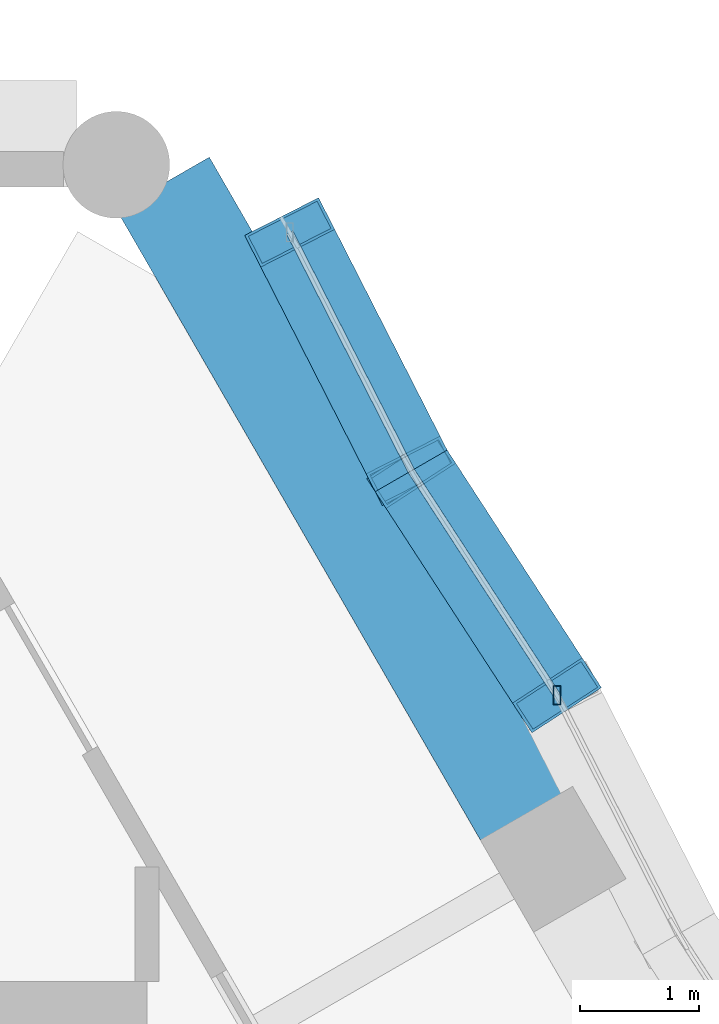
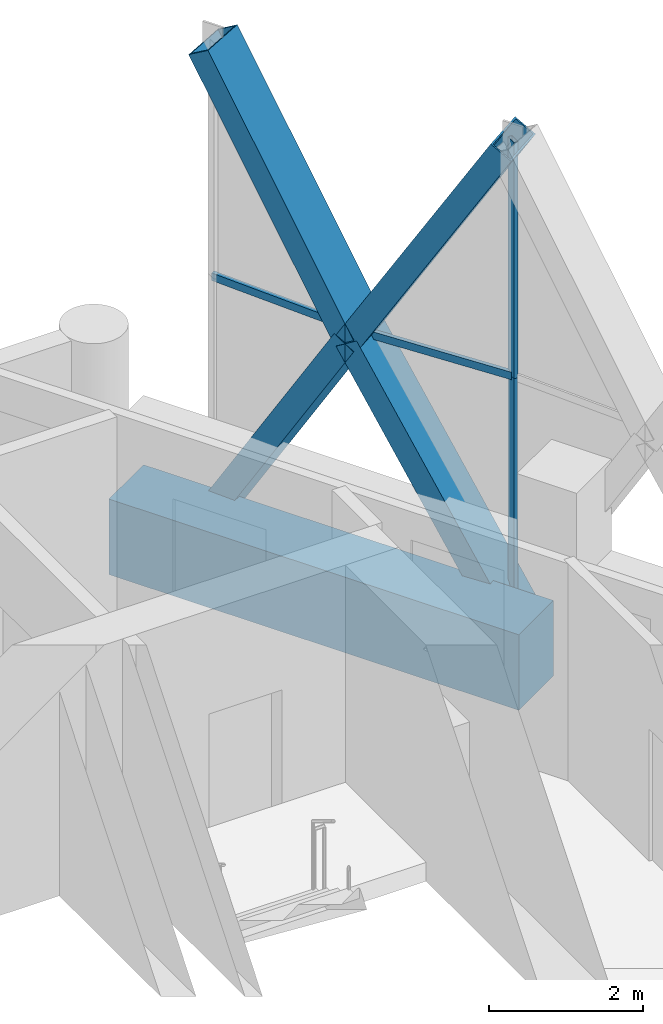
# One storey, part 10 of 27: 8 members, 1 beam, 2 elements without a shape of their own.
"""IFC4 building model written with IfcOpenShell, lengths in metres."""

from ifc_helpers import new_model, si_unit, direction, frame, origin, origin_2d, place, context, subcontext, project, spatial, rectangle, hollow_rectangle, extrude, material, material_profile, profile_set, type_object, element, aggregate, save


model = new_model("IFC4")

# Units and contexts
model_context = context("Model", 3, precision=1e-05, world=origin(), true_north=direction((0.0, 1.0)))
body_context = subcontext(model_context, "Body", "Model", "MODEL_VIEW")
ifc_project = project(units=[si_unit("LENGTHUNIT", "METRE"), si_unit("AREAUNIT", "SQUARE_METRE"), si_unit("VOLUMEUNIT", "CUBIC_METRE"), si_unit("PLANEANGLEUNIT", "RADIAN"), si_unit("MASSUNIT", "GRAM", prefix="KILO")], contexts=[model_context])

# Site, building, storey
site_placement = place(None, origin())
site = spatial("IfcSite", under=ifc_project, at=site_placement, CompositionType="ELEMENT")
building_placement = place(site_placement, origin())
building = spatial("IfcBuilding", under=site, at=building_placement, Name="Ostrander Bayou Hotel Tower", CompositionType="ELEMENT")
storey_placement = place(building_placement, frame((0.0, 0.0, 267.5)))
storey = spatial("IfcBuildingStorey", under=building, at=storey_placement, Name="L66", CompositionType="ELEMENT", Elevation=267.5)

# Curtain wall, members
ifc_material_1 = material(Name="Aluminium and clear glass", Category="aluminium")
curtain_wall_type = type_object("IfcCurtainWallType", Name="CW-LAT lattice glazing", PredefinedType="NOTDEFINED", material=ifc_material_1)
curtain_wall_1_placement = place(storey_placement, origin())
curtain_wall_1 = element("IfcCurtainWall", 1, at=curtain_wall_1_placement, inside=storey, type_object=curtain_wall_type, Name="CW-LAT L66 NE 1", PredefinedType="NOTDEFINED")
ifc_material_2 = material(Name="Aluminium", Category="aluminium")
ifc_material_profile_1 = material_profile(ifc_material_2, hollow_rectangle(XDim=0.06005859375, YDim=0.159912109375, WallThickness=0.00390625, at=origin_2d()))
ifc_profile_set_1 = profile_set([ifc_material_profile_1], Name="Aluminium")
member_type_1 = type_object("IfcMemberType", Name="CW-LA mullion 60 x 160 mm", PredefinedType="MULLION", material=ifc_profile_set_1)
member_1_placement = place(storey_placement, frame((11.95947265625, 12.112548828125, -0.60009765625), z_axis=(0.0, 0.0, 1.0), x_axis=(1.0, 0.0, 0.0)))
member_1 = element("IfcMember", 2, at=member_1_placement, type_object=member_type_1, Name="CW-LAT mullion 12", PredefinedType="MULLION", context=body_context, shape_type="SweptSolid", body=[
    extrude(hollow_rectangle(XDim=0.06005859375, YDim=0.159912109375, WallThickness=0.00390625, at=origin_2d()), origin(), (0.0, 0.0, 1.0), 3.75),
])
member_2_placement = place(storey_placement, frame((11.95947265625, 12.112548828125, 3.14990234375), z_axis=(0.0, 0.0, 1.0), x_axis=(1.0, 0.0, 0.0)))
member_2 = element("IfcMember", 3, at=member_2_placement, type_object=member_type_1, Name="CW-LAT mullion 13", PredefinedType="MULLION", context=body_context, shape_type="SweptSolid", body=[
    extrude(hollow_rectangle(XDim=0.06005859375, YDim=0.159912109375, WallThickness=0.00390625, at=origin_2d()), origin(), (0.0, 0.0, 1.0), 3.75),
])
aggregate(curtain_wall_1, [member_1, member_2])

curtain_wall_2_placement = place(storey_placement, origin())
curtain_wall_2 = element("IfcCurtainWall", 4, at=curtain_wall_2_placement, inside=storey, type_object=curtain_wall_type, Name="CW-LAT L66 NE 2", PredefinedType="NOTDEFINED")
ifc_material_3 = material(Name="Aluminium", Category="aluminium")
ifc_material_profile_2 = material_profile(ifc_material_3, hollow_rectangle(XDim=0.06005859375, YDim=0.1201171875, WallThickness=0.00390625, at=origin_2d()))
ifc_profile_set_2 = profile_set([ifc_material_profile_2], Name="Aluminium")
member_type_2 = type_object("IfcMemberType", Name="CW-LA transom 60 x 120 mm", PredefinedType="USERDEFINED", material=ifc_profile_set_2)
member_3_placement = place(storey_placement, frame((11.95947265625, 12.112548828125, 3.14990234375), z_axis=(-0.54463111889, 0.838675708684, 0.0), x_axis=(-0.838675708684, -0.54463111889, 0.0)))
member_3 = element("IfcMember", 5, at=member_3_placement, type_object=member_type_2, Name="CW-LAT transom 15", ObjectType="TRANSOM", PredefinedType="USERDEFINED", context=body_context, shape_type="SweptSolid", body=[
    extrude(hollow_rectangle(XDim=0.06005859375, YDim=0.1201171875, WallThickness=0.00390625, at=origin_2d()), origin(), (0.0, 0.0, 1.0), 2.25830078125),
])
member_4_placement = place(storey_placement, frame((9.704345703125, 16.0185546875, 3.14990234375), z_axis=(0.453990565894, -0.891006490481, 0.0), x_axis=(0.891006490481, 0.453990565894, 0.0)))
member_4 = element("IfcMember", 6, at=member_4_placement, type_object=member_type_2, Name="CW-LAT transom 18", ObjectType="TRANSOM", PredefinedType="USERDEFINED", context=body_context, shape_type="SweptSolid", body=[
    extrude(hollow_rectangle(XDim=0.06005859375, YDim=0.1201171875, WallThickness=0.00390625, at=origin_2d()), origin(), (0.0, 0.0, 1.0), 2.258056640625),
])
aggregate(curtain_wall_2, [member_3, member_4])

# Members
ifc_material_4 = material(Name="Steel ASTM A572 Gr 50", Category="steel")
ifc_material_profile_3 = material_profile(ifc_material_4, hollow_rectangle(XDim=0.699951171875, YDim=0.35009765625, WallThickness=0.02490234375, at=origin_2d()))
ifc_profile_set_3 = profile_set([ifc_material_profile_3], Name="Steel ASTM A572 Gr 50")
member_type_3 = type_object("IfcMemberType", Name="LT1 lattice member box 700 x 350 x 25 mm", PredefinedType="BRACE", material=ifc_profile_set_3)
for number, where, z_axis, x_axis, name in (
    (7, (10.7294921875, 14.006591796875, 3.14990234375), (0.280976041786, -0.43267410325, -0.856647876504), (0.838675708684, 0.54463111889, 0.0), "LT1 L66 NE 13"),
    (8, (10.7294921875, 14.006591796875, 3.14990234375), (0.280976041786, -0.43267410325, 0.856647876504), (0.838675708684, 0.54463111889, 0.0), "LT1 L66 NE 14"),
    (9, (10.7294921875, 14.006591796875, 3.14990234375), (-0.234192014113, 0.459627622839, -0.856677622475), (-0.891006490481, -0.453990565894, 0.0), "LT1 L66 NE 15"),
    (10, (10.7294921875, 14.006591796875, 3.14990234375), (-0.234192014113, 0.459627622839, 0.856677622475), (-0.891006490481, -0.453990565894, 0.0), "LT1 L66 NE 16"),
):
    element("IfcMember", number, at=place(storey_placement, frame(where, z_axis=z_axis, x_axis=x_axis)), inside=storey, type_object=member_type_3, Name=name, PredefinedType="BRACE", context=body_context, shape_type="SweptSolid", body=[
        extrude(hollow_rectangle(XDim=0.699951171875, YDim=0.35009765625, WallThickness=0.02490234375, at=origin_2d()), origin(), (0.0, 0.0, 1.0), 4.37744140625),
    ])

# Beam
ifc_material_5 = material(Name="Concrete f'c 60 MPa", Category="concrete")
ifc_material_profile_4 = material_profile(ifc_material_5, rectangle(XDim=0.89990234375, YDim=1.199951171875, at=origin_2d()))
ifc_profile_set_4 = profile_set([ifc_material_profile_4], Name="Concrete f'c 60 MPa")
beam_type = type_object("IfcBeamType", Name="SP4 spandrel beam 900 x 1200 mm f'c 60 MPa", PredefinedType="SPANDREL", material=ifc_profile_set_4)
beam_placement = place(storey_placement, frame((11.71630859375, 11.09375, -0.60009765625), z_axis=(-0.499984362083, 0.866034432152, 0.0), x_axis=(-0.866034432152, -0.499984362083, 0.0)))
element("IfcBeam", 11, at=beam_placement, inside=storey, type_object=beam_type, Name="SP4 L66 NE-3", PredefinedType="SPANDREL", context=body_context, shape_type="SweptSolid", body=[
    extrude(rectangle(XDim=0.89990234375, YDim=1.199951171875, at=origin_2d()), origin(), (0.0, 0.0, 1.0), 6.159423828125),
])

save(model, "model.ifc")
